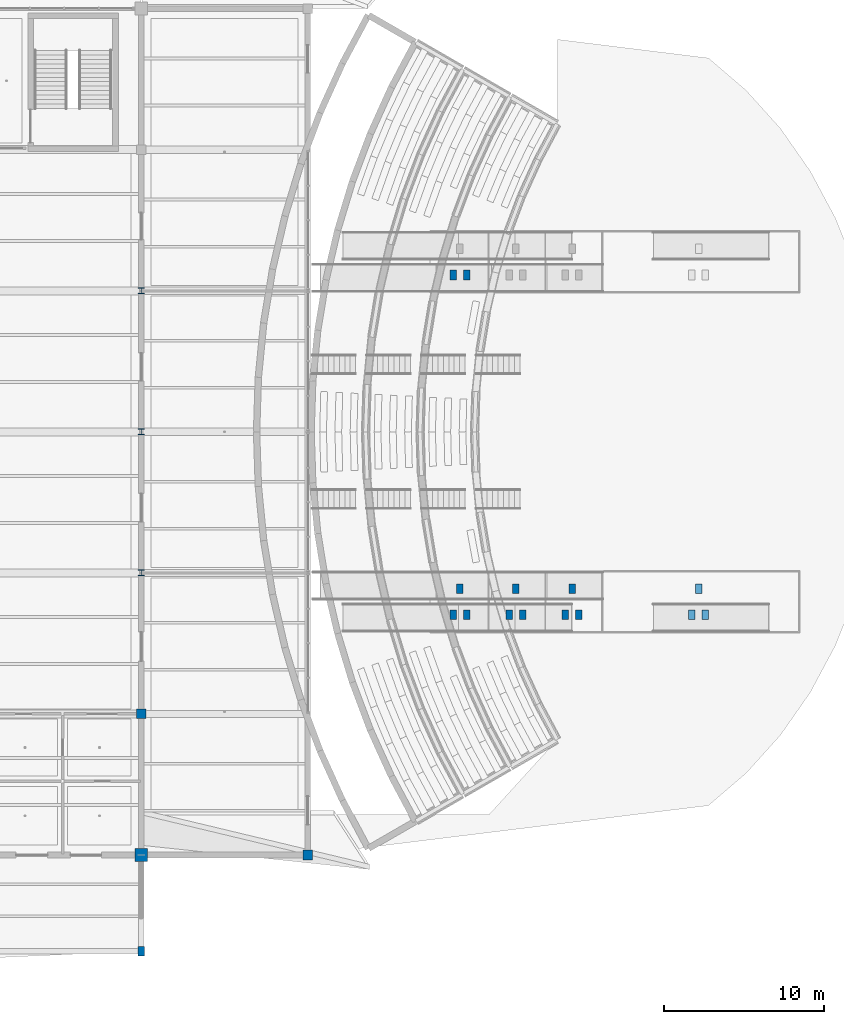
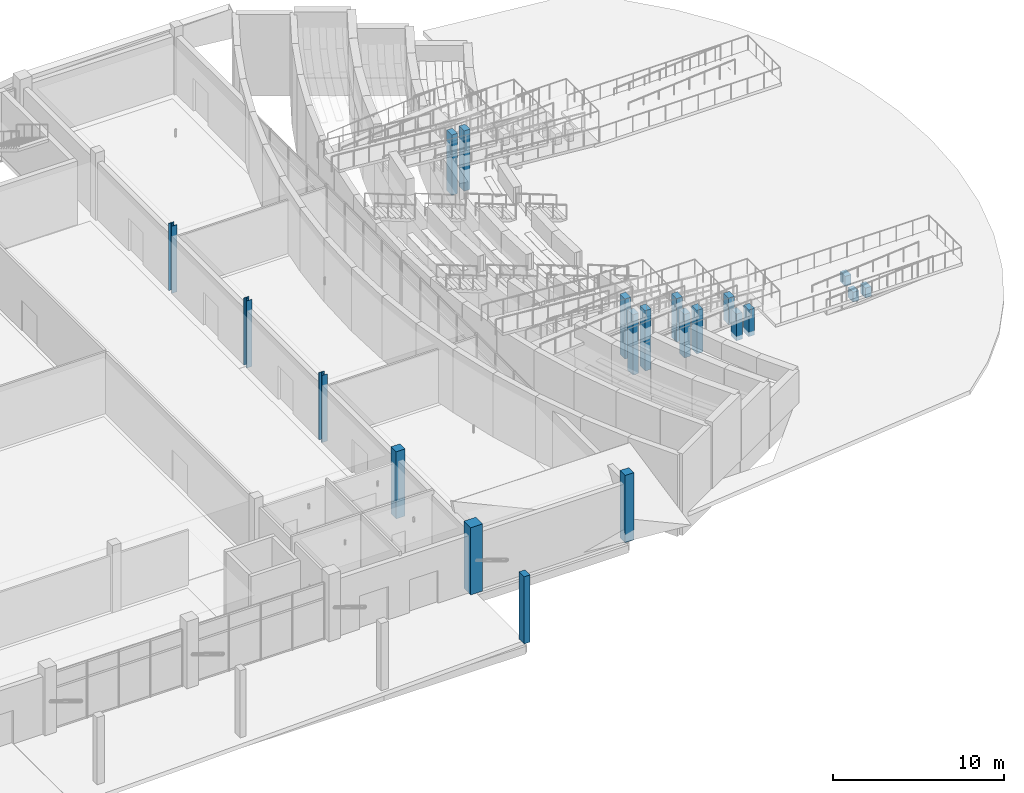
# One storey, part 14 of 116: 21 columns.
"""IFC4 building model written with IfcOpenShell, lengths in metres."""

from ifc_helpers import new_model, si_unit, direction, frame, origin, origin_2d, place, context, subcontext, project, spatial, rectangle, i_section, extrude, material, material_profile, profile_set, type_object, element, save


model = new_model("IFC4")

# Units and contexts
model_context = context("Model", 3, precision=1e-05, world=origin(), true_north=direction((0.0, 1.0)))
body_context = subcontext(model_context, "Body", "Model", "MODEL_VIEW")
ifc_project = project(units=[si_unit("LENGTHUNIT", "METRE"), si_unit("AREAUNIT", "SQUARE_METRE"), si_unit("VOLUMEUNIT", "CUBIC_METRE"), si_unit("PLANEANGLEUNIT", "RADIAN"), si_unit("MASSUNIT", "GRAM", prefix="KILO")], contexts=[model_context])

# Site, building, storey
site_placement = place(None, origin())
site = spatial("IfcSite", under=ifc_project, at=site_placement, CompositionType="ELEMENT")
building_placement = place(site_placement, origin())
building = spatial("IfcBuilding", under=site, at=building_placement, Name="Chalmorin Arch Market", CompositionType="ELEMENT")
storey_placement = place(building_placement, origin())
storey = spatial("IfcBuildingStorey", under=building, at=storey_placement, Name="L00", CompositionType="ELEMENT", Elevation=0.0)

# Columns
ifc_material_1 = material(Name="Concrete C50/60", Category="concrete")
ifc_material_profile_1 = material_profile(ifc_material_1, rectangle(XDim=0.800048828125, YDim=0.800048828125, at=origin_2d()), Name="RC800X800")
ifc_profile_set_1 = profile_set([ifc_material_profile_1], Name="Concrete C50/60")
column_type_1 = type_object("IfcColumnType", Name="ArchPierColumn-800x800", PredefinedType="COLUMN", material=ifc_profile_set_1)
column_1_placement = place(storey_placement, frame((124.800048828125, 6.0, 0.0), z_axis=(0.0, 0.0, 1.0), x_axis=(1.0, 0.0, 0.0)))
element("IfcColumn", 1, at=column_1_placement, inside=storey, type_object=column_type_1, Name="C-AP1-643", PredefinedType="COLUMN", context=body_context, shape_type="SweptSolid", body=[
    extrude(rectangle(XDim=0.800048828125, YDim=0.800048828125, at=origin_2d()), origin(), (0.0, 0.0, 1.0), 4.800048828125),
])
ifc_material_2 = material(Name="Concrete C40/50", Category="concrete")
ifc_material_profile_2 = material_profile(ifc_material_2, rectangle(XDim=0.39990234375, YDim=0.60009765625, at=origin_2d()), Name="RC400X600")
ifc_profile_set_2 = profile_set([ifc_material_profile_2], Name="Concrete C40/50")
column_type_2 = type_object("IfcColumnType", Name="GalleryConcreteColumn-400x600", PredefinedType="COLUMN", material=ifc_profile_set_2)
for number, where, z_axis, x_axis, name in (
    (2, (159.155029296875, 20.97998046875, -0.320068359375), (0.0, 0.0, 1.0), (1.0, 0.0, 0.0), "C-RMP-01-L1"),
    (3, (159.9951171875, 20.97998046875, -0.320068359375), (0.0, 0.0, 1.0), (1.0, 0.0, 0.0), "C-RMP-01-L2"),
    (4, (159.574951171875, 22.6201171875, -0.320068359375), (0.0, 0.0, 1.0), (1.0, 0.0, 0.0), "C-RMP-01-L3"),
):
    element("IfcColumn", number, at=place(storey_placement, frame(where, z_axis=z_axis, x_axis=x_axis)), inside=storey, type_object=column_type_2, Name=name, PredefinedType="COLUMN", context=body_context, shape_type="SweptSolid", body=[
        extrude(rectangle(XDim=0.39990234375, YDim=0.60009765625, at=origin_2d()), origin(), (0.0, 0.0, 1.0), 0.7099609375),
    ])
for number, where, z_axis, x_axis, name in (
    (5, (151.26904296875, 20.97998046875, -0.320068359375), (0.0, 0.0, 1.0), (1.0, 0.0, 0.0), "C-RMP-03-L1"),
    (6, (152.10888671875, 20.97998046875, -0.320068359375), (0.0, 0.0, 1.0), (1.0, 0.0, 0.0), "C-RMP-03-L2"),
    (7, (151.68896484375, 22.6201171875, -0.320068359375), (0.0, 0.0, 1.0), (1.0, 0.0, 0.0), "C-RMP-03-L3"),
):
    element("IfcColumn", number, at=place(storey_placement, frame(where, z_axis=z_axis, x_axis=x_axis)), inside=storey, type_object=column_type_2, Name=name, PredefinedType="COLUMN", context=body_context, shape_type="SweptSolid", body=[
        extrude(rectangle(XDim=0.39990234375, YDim=0.60009765625, at=origin_2d()), origin(), (0.0, 0.0, 1.0), 1.91015625),
    ])
for number, where, z_axis, x_axis, name in (
    (8, (147.759033203125, 20.97998046875, -0.320068359375), (0.0, 0.0, 1.0), (1.0, 0.0, 0.0), "C-RMP-05-L1"),
    (9, (148.59912109375, 20.97998046875, -0.320068359375), (0.0, 0.0, 1.0), (1.0, 0.0, 0.0), "C-RMP-05-L2"),
    (10, (148.178955078125, 22.6201171875, -0.320068359375), (0.0, 0.0, 1.0), (1.0, 0.0, 0.0), "C-RMP-05-L3"),
):
    element("IfcColumn", number, at=place(storey_placement, frame(where, z_axis=z_axis, x_axis=x_axis)), inside=storey, type_object=column_type_2, Name=name, PredefinedType="COLUMN", context=body_context, shape_type="SweptSolid", body=[
        extrude(rectangle(XDim=0.39990234375, YDim=0.60009765625, at=origin_2d()), origin(), (0.0, 0.0, 1.0), 3.110107421875),
    ])
for number, where, z_axis, x_axis, name in (
    (11, (144.264892578125, 20.97998046875, -0.320068359375), (0.0, 0.0, 1.0), (1.0, 0.0, 0.0), "C-RMP-07-L1"),
    (12, (145.10498046875, 20.97998046875, -0.320068359375), (0.0, 0.0, 1.0), (1.0, 0.0, 0.0), "C-RMP-07-L2"),
    (13, (144.68505859375, 22.6201171875, -0.320068359375), (0.0, 0.0, 1.0), (1.0, 0.0, 0.0), "C-RMP-07-L3"),
    (14, (144.264892578125, 42.179931640625, -0.320068359375), (0.0, 0.0, 1.0), (1.0, 0.0, 0.0), "C-RMP-08-L1"),
    (15, (145.10498046875, 42.179931640625, -0.320068359375), (0.0, 0.0, 1.0), (1.0, 0.0, 0.0), "C-RMP-08-L2"),
):
    element("IfcColumn", number, at=place(storey_placement, frame(where, z_axis=z_axis, x_axis=x_axis)), inside=storey, type_object=column_type_2, Name=name, PredefinedType="COLUMN", context=body_context, shape_type="SweptSolid", body=[
        extrude(rectangle(XDim=0.39990234375, YDim=0.60009765625, at=origin_2d()), origin(), (0.0, 0.0, 1.0), 4.31005859375),
    ])
ifc_material_profile_3 = material_profile(ifc_material_2, rectangle(XDim=0.60009765625, YDim=0.60009765625, at=origin_2d()), Name="RC600X600")
ifc_profile_set_3 = profile_set([ifc_material_profile_3], Name="Concrete C40/50")
column_type_3 = type_object("IfcColumnType", Name="InteriorConcreteColumn-600x600", PredefinedType="COLUMN", material=ifc_profile_set_3)
for number, where, z_axis, x_axis, name in (
    (16, (124.800048828125, 14.800048828125, 0.0), (0.0, 0.0, 1.0), (1.0, 0.0, 0.0), "C-RC2-648"),
    (17, (135.199951171875, 6.0, 0.0), (0.0, 0.0, 1.0), (1.0, 0.0, 0.0), "C-RC2-678"),
):
    element("IfcColumn", number, at=place(storey_placement, frame(where, z_axis=z_axis, x_axis=x_axis)), inside=storey, type_object=column_type_3, Name=name, PredefinedType="COLUMN", context=body_context, shape_type="SweptSolid", body=[
        extrude(rectangle(XDim=0.60009765625, YDim=0.60009765625, at=origin_2d()), origin(), (0.0, 0.0, 1.0), 4.800048828125),
    ])
ifc_material_profile_4 = material_profile(ifc_material_2, rectangle(XDim=0.39990234375, YDim=0.60009765625, at=origin_2d()), Name="RC400X600")
ifc_profile_set_4 = profile_set([ifc_material_profile_4], Name="Concrete C40/50")
column_type_4 = type_object("IfcColumnType", Name="PromenadePilaster-400x600", PredefinedType="PILASTER", material=ifc_profile_set_4)
column_2_placement = place(storey_placement, frame((124.800048828125, 0.0, 0.0), z_axis=(0.0, 0.0, 1.0), x_axis=(1.0, 0.0, 0.0)))
element("IfcColumn", 18, at=column_2_placement, inside=storey, type_object=column_type_4, Name="CP-02-641", PredefinedType="PILASTER", context=body_context, shape_type="SweptSolid", body=[
    extrude(rectangle(XDim=0.39990234375, YDim=0.60009765625, at=origin_2d()), origin(), (0.0, 0.0, 1.0), 4.800048828125),
])
ifc_material_3 = material(Name="Steel A992 Grade 50", Category="steel")
ifc_material_profile_5 = material_profile(ifc_material_3, i_section(OverallWidth=0.367919921875, OverallDepth=0.367919921875, WebThickness=0.014892578125, FlangeThickness=0.02392578125, FilletRadius=0.02490234375, at=origin_2d()), Name="W14X120")
ifc_profile_set_5 = profile_set([ifc_material_profile_5], Name="Steel A992 Grade 50")
column_type_5 = type_object("IfcColumnType", Name="WideFlangeColumn-W14X120", PredefinedType="COLUMN", material=ifc_profile_set_5)
for number, where, z_axis, x_axis, name in (
    (19, (124.800048828125, 23.60009765625, 0.0), (0.0, 0.0, 1.0), (1.0, 0.0, 0.0), "C-ST1-653"),
    (20, (124.800048828125, 32.39990234375, 0.0), (0.0, 0.0, 1.0), (1.0, 0.0, 0.0), "C-ST1-658"),
    (21, (124.800048828125, 41.199951171875, 0.0), (0.0, 0.0, 1.0), (1.0, 0.0, 0.0), "C-ST1-663"),
):
    element("IfcColumn", number, at=place(storey_placement, frame(where, z_axis=z_axis, x_axis=x_axis)), inside=storey, type_object=column_type_5, Name=name, PredefinedType="COLUMN", context=body_context, shape_type="SweptSolid", body=[
        extrude(i_section(OverallWidth=0.367919921875, OverallDepth=0.367919921875, WebThickness=0.014892578125, FlangeThickness=0.02392578125, FilletRadius=0.02490234375, at=origin_2d()), origin(), (0.0, 0.0, 1.0), 4.800048828125),
    ])

save(model, "model.ifc")
